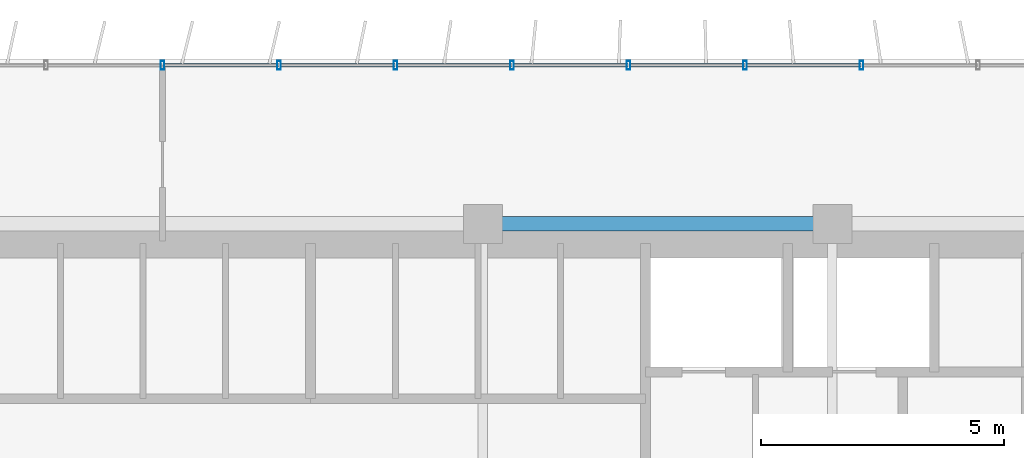
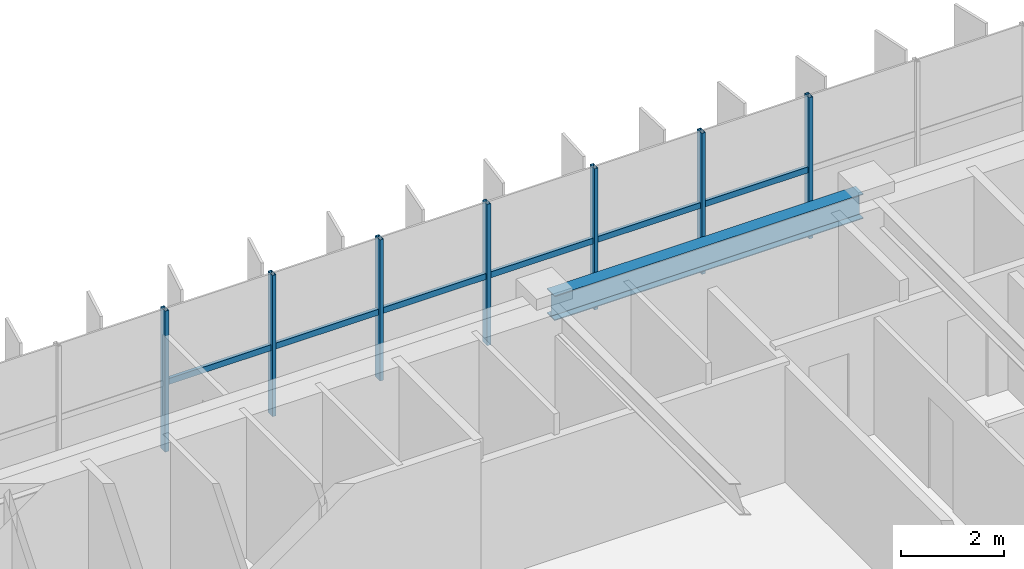
# One storey, part 9 of 21: 13 members, 1 beam, 1 element without a shape of its own.
"""IFC4 building model written with IfcOpenShell, lengths in metres."""

from ifc_helpers import new_model, si_unit, direction, frame, origin, origin_2d, place, context, subcontext, project, spatial, hollow_rectangle, i_section, extrude, source, transform, mapped, material, material_profile, profile_set, type_object, element, aggregate, save


model = new_model("IFC4")

# Units and contexts
model_context = context("Model", 3, precision=1e-05, world=origin(), true_north=direction((0.0, 1.0)))
body_context = subcontext(model_context, "Body", "Model", "MODEL_VIEW")
ifc_project = project(units=[si_unit("LENGTHUNIT", "METRE"), si_unit("AREAUNIT", "SQUARE_METRE"), si_unit("VOLUMEUNIT", "CUBIC_METRE"), si_unit("PLANEANGLEUNIT", "RADIAN"), si_unit("MASSUNIT", "GRAM", prefix="KILO")], contexts=[model_context])

# Site, building, storey
site_placement = place(None, origin())
site = spatial("IfcSite", under=ifc_project, at=site_placement, CompositionType="ELEMENT")
building_placement = place(site_placement, origin())
building = spatial("IfcBuilding", under=site, at=building_placement, Name="Trelvane Seafront Commons", CompositionType="ELEMENT")
storey_placement = place(building_placement, frame((0.0, 0.0, 103.300048828125)))
storey = spatial("IfcBuildingStorey", under=building, at=storey_placement, Name="L26", CompositionType="ELEMENT", Elevation=103.300048828125)

# Beam
ifc_material_1 = material(Name="Steel SM355 (S355)", Category="steel")
ifc_material_profile_1 = material_profile(ifc_material_1, i_section(OverallWidth=0.300048828125, OverallDepth=0.587890625, WebThickness=0.011962890625, FlangeThickness=0.02001953125, at=origin_2d()), Name="H-588x300x12x20")
ifc_profile_set_1 = profile_set([ifc_material_profile_1], Name="Steel SM355 (S355)")
beam_type = type_object("IfcBeamType", Name="STR-BM-H588", PredefinedType="BEAM", material=ifc_profile_set_1)
shared_shape_1 = source(origin(), body_context, "Body", "SweptSolid", [
    extrude(i_section(OverallWidth=0.300048828125, OverallDepth=0.587890625, WebThickness=0.011962890625, FlangeThickness=0.02001953125, at=origin_2d()), origin(), (0.0, 0.0, 1.0), 6.900146484375),
])
beam_placement = place(storey_placement, frame((43.949951171875, 45.10009765625, 3.0458984375), z_axis=(1.0, 0.0, 0.0), x_axis=(0.0, 1.0, 0.0)))
element("IfcBeam", 1, at=beam_placement, inside=storey, type_object=beam_type, Name="L26 Primary Girder G-33", PredefinedType="BEAM", context=body_context, shape_type="MappedRepresentation", body=[
    mapped(shared_shape_1, transform((0.0, 0.0, 0.0), x_axis=(1.0, 0.0, 0.0), y_axis=(0.0, 1.0, 0.0), z_axis=(0.0, 0.0, 1.0), scale=1.0)),
])

# Curtain wall, members
ifc_material_2 = material(Name="Anodised pale-silver aluminium", Category="aluminium")
curtain_wall_type = type_object("IfcCurtainWallType", Name="ARCH-CW4-SKYLOBBY", PredefinedType="NOTDEFINED", material=ifc_material_2)
curtain_wall_placement = place(storey_placement, origin())
curtain_wall = element("IfcCurtainWall", 2, at=curtain_wall_placement, inside=storey, type_object=curtain_wall_type, Name="CW-L26-0051", PredefinedType="NOTDEFINED")
ifc_material_profile_2 = material_profile(ifc_material_2, hollow_rectangle(XDim=0.074951171875, YDim=0.139892578125, WallThickness=0.00390625, at=origin_2d()), Name="TRAN-75x140x4")
ifc_profile_set_2 = profile_set([ifc_material_profile_2], Name="Anodised pale-silver aluminium")
member_type_1 = type_object("IfcMemberType", Name="ARCH-CW-TRAN-140", PredefinedType="USERDEFINED", material=ifc_profile_set_2)
shared_shape_2 = source(origin(), body_context, "Body", "SweptSolid", [
    extrude(hollow_rectangle(XDim=0.074951171875, YDim=0.139892578125, WallThickness=0.00390625, at=origin_2d()), origin(), (0.0, 0.0, 1.0), 2.3759765625),
])
member_1_placement = place(storey_placement, frame((37.2119140625, 48.3701171875, 1.60302734375), z_axis=(1.0, 0.0, 0.0), x_axis=(0.0, 1.0, 0.0)))
member_1 = element("IfcMember", 3, at=member_1_placement, type_object=member_type_1, Name="CW-L26-0051-T09", ObjectType="TRANSOM", PredefinedType="USERDEFINED", context=body_context, shape_type="MappedRepresentation", body=[
    mapped(shared_shape_2, transform((0.0, 0.0, 0.0), x_axis=(1.0, 0.0, 0.0), y_axis=(0.0, 1.0, 0.0), z_axis=(0.0, 0.0, 1.0), scale=1.0)),
])
member_2_placement = place(storey_placement, frame((39.612060546875, 48.3701171875, 1.60302734375), z_axis=(1.0, 0.0, 0.0), x_axis=(0.0, 1.0, 0.0)))
member_2 = element("IfcMember", 4, at=member_2_placement, type_object=member_type_1, Name="CW-L26-0051-T10", ObjectType="TRANSOM", PredefinedType="USERDEFINED", context=body_context, shape_type="MappedRepresentation", body=[
    mapped(shared_shape_2, transform((0.0, 0.0, 0.0), x_axis=(1.0, 0.0, 0.0), y_axis=(0.0, 1.0, 0.0), z_axis=(0.0, 0.0, 1.0), scale=1.0)),
])
member_3_placement = place(storey_placement, frame((42.011962890625, 48.3701171875, 1.60302734375), z_axis=(1.0, 0.0, 0.0), x_axis=(0.0, 1.0, 0.0)))
member_3 = element("IfcMember", 5, at=member_3_placement, type_object=member_type_1, Name="CW-L26-0051-T11", ObjectType="TRANSOM", PredefinedType="USERDEFINED", context=body_context, shape_type="MappedRepresentation", body=[
    mapped(shared_shape_2, transform((0.0, 0.0, 0.0), x_axis=(1.0, 0.0, 0.0), y_axis=(0.0, 1.0, 0.0), z_axis=(0.0, 0.0, 1.0), scale=1.0)),
])
member_4_placement = place(storey_placement, frame((44.412109375, 48.3701171875, 1.60302734375), z_axis=(1.0, 0.0, 0.0), x_axis=(0.0, 1.0, 0.0)))
member_4 = element("IfcMember", 6, at=member_4_placement, type_object=member_type_1, Name="CW-L26-0051-T12", ObjectType="TRANSOM", PredefinedType="USERDEFINED", context=body_context, shape_type="MappedRepresentation", body=[
    mapped(shared_shape_2, transform((0.0, 0.0, 0.0), x_axis=(1.0, 0.0, 0.0), y_axis=(0.0, 1.0, 0.0), z_axis=(0.0, 0.0, 1.0), scale=1.0)),
])
member_5_placement = place(storey_placement, frame((46.81201171875, 48.3701171875, 1.60302734375), z_axis=(1.0, 0.0, 0.0), x_axis=(0.0, 1.0, 0.0)))
member_5 = element("IfcMember", 7, at=member_5_placement, type_object=member_type_1, Name="CW-L26-0051-T13", ObjectType="TRANSOM", PredefinedType="USERDEFINED", context=body_context, shape_type="MappedRepresentation", body=[
    mapped(shared_shape_2, transform((0.0, 0.0, 0.0), x_axis=(1.0, 0.0, 0.0), y_axis=(0.0, 1.0, 0.0), z_axis=(0.0, 0.0, 1.0), scale=1.0)),
])
member_6_placement = place(storey_placement, frame((49.2119140625, 48.3701171875, 1.60302734375), z_axis=(1.0, 0.0, 0.0), x_axis=(0.0, 1.0, 0.0)))
member_6 = element("IfcMember", 8, at=member_6_placement, type_object=member_type_1, Name="CW-L26-0051-T14", ObjectType="TRANSOM", PredefinedType="USERDEFINED", context=body_context, shape_type="MappedRepresentation", body=[
    mapped(shared_shape_2, transform((0.0, 0.0, 0.0), x_axis=(1.0, 0.0, 0.0), y_axis=(0.0, 1.0, 0.0), z_axis=(0.0, 0.0, 1.0), scale=1.0)),
])
ifc_material_profile_3 = material_profile(ifc_material_2, hollow_rectangle(XDim=0.080078125, YDim=0.179931640625, WallThickness=0.00439453125, at=origin_2d()), Name="MULL-80x180x4.5")
ifc_profile_set_3 = profile_set([ifc_material_profile_3], Name="Anodised pale-silver aluminium")
member_type_2 = type_object("IfcMemberType", Name="ARCH-CW-MULL-180", PredefinedType="MULLION", material=ifc_profile_set_3)
shared_shape_3 = source(origin(), body_context, "Body", "SweptSolid", [
    extrude(hollow_rectangle(XDim=0.080078125, YDim=0.179931640625, WallThickness=0.00439453125, at=origin_2d()), origin(), (0.0, 0.0, 1.0), 3.33984375),
])
member_7_placement = place(storey_placement, frame((37.199951171875, 48.3701171875, 0.0), z_axis=(0.0, 0.0, 1.0), x_axis=(1.0, 0.0, 0.0)))
member_7 = element("IfcMember", 9, at=member_7_placement, type_object=member_type_2, Name="CW-L26-0051-M09", PredefinedType="MULLION", context=body_context, shape_type="MappedRepresentation", body=[
    mapped(shared_shape_3, transform((0.0, 0.0, 0.0), x_axis=(1.0, 0.0, 0.0), y_axis=(0.0, 1.0, 0.0), z_axis=(0.0, 0.0, 1.0), scale=1.0)),
])
member_8_placement = place(storey_placement, frame((39.60009765625, 48.3701171875, 0.0), z_axis=(0.0, 0.0, 1.0), x_axis=(1.0, 0.0, 0.0)))
member_8 = element("IfcMember", 10, at=member_8_placement, type_object=member_type_2, Name="CW-L26-0051-M10", PredefinedType="MULLION", context=body_context, shape_type="MappedRepresentation", body=[
    mapped(shared_shape_3, transform((0.0, 0.0, 0.0), x_axis=(1.0, 0.0, 0.0), y_axis=(0.0, 1.0, 0.0), z_axis=(0.0, 0.0, 1.0), scale=1.0)),
])
member_9_placement = place(storey_placement, frame((42.0, 48.3701171875, 0.0), z_axis=(0.0, 0.0, 1.0), x_axis=(1.0, 0.0, 0.0)))
member_9 = element("IfcMember", 11, at=member_9_placement, type_object=member_type_2, Name="CW-L26-0051-M11", PredefinedType="MULLION", context=body_context, shape_type="MappedRepresentation", body=[
    mapped(shared_shape_3, transform((0.0, 0.0, 0.0), x_axis=(1.0, 0.0, 0.0), y_axis=(0.0, 1.0, 0.0), z_axis=(0.0, 0.0, 1.0), scale=1.0)),
])
member_10_placement = place(storey_placement, frame((44.39990234375, 48.3701171875, 0.0), z_axis=(0.0, 0.0, 1.0), x_axis=(1.0, 0.0, 0.0)))
member_10 = element("IfcMember", 12, at=member_10_placement, type_object=member_type_2, Name="CW-L26-0051-M12", PredefinedType="MULLION", context=body_context, shape_type="MappedRepresentation", body=[
    mapped(shared_shape_3, transform((0.0, 0.0, 0.0), x_axis=(1.0, 0.0, 0.0), y_axis=(0.0, 1.0, 0.0), z_axis=(0.0, 0.0, 1.0), scale=1.0)),
])
member_11_placement = place(storey_placement, frame((46.800048828125, 48.3701171875, 0.0), z_axis=(0.0, 0.0, 1.0), x_axis=(1.0, 0.0, 0.0)))
member_11 = element("IfcMember", 13, at=member_11_placement, type_object=member_type_2, Name="CW-L26-0051-M13", PredefinedType="MULLION", context=body_context, shape_type="MappedRepresentation", body=[
    mapped(shared_shape_3, transform((0.0, 0.0, 0.0), x_axis=(1.0, 0.0, 0.0), y_axis=(0.0, 1.0, 0.0), z_axis=(0.0, 0.0, 1.0), scale=1.0)),
])
member_12_placement = place(storey_placement, frame((49.199951171875, 48.3701171875, 0.0), z_axis=(0.0, 0.0, 1.0), x_axis=(1.0, 0.0, 0.0)))
member_12 = element("IfcMember", 14, at=member_12_placement, type_object=member_type_2, Name="CW-L26-0051-M14", PredefinedType="MULLION", context=body_context, shape_type="MappedRepresentation", body=[
    mapped(shared_shape_3, transform((0.0, 0.0, 0.0), x_axis=(1.0, 0.0, 0.0), y_axis=(0.0, 1.0, 0.0), z_axis=(0.0, 0.0, 1.0), scale=1.0)),
])
member_13_placement = place(storey_placement, frame((51.60009765625, 48.3701171875, 0.0), z_axis=(0.0, 0.0, 1.0), x_axis=(1.0, 0.0, 0.0)))
member_13 = element("IfcMember", 15, at=member_13_placement, type_object=member_type_2, Name="CW-L26-0051-M15", PredefinedType="MULLION", context=body_context, shape_type="MappedRepresentation", body=[
    mapped(shared_shape_3, transform((0.0, 0.0, 0.0), x_axis=(1.0, 0.0, 0.0), y_axis=(0.0, 1.0, 0.0), z_axis=(0.0, 0.0, 1.0), scale=1.0)),
])
aggregate(curtain_wall, [member_7, member_8, member_9, member_10, member_11, member_12, member_13, member_1, member_2, member_3, member_4, member_5, member_6])

save(model, "model.ifc")
